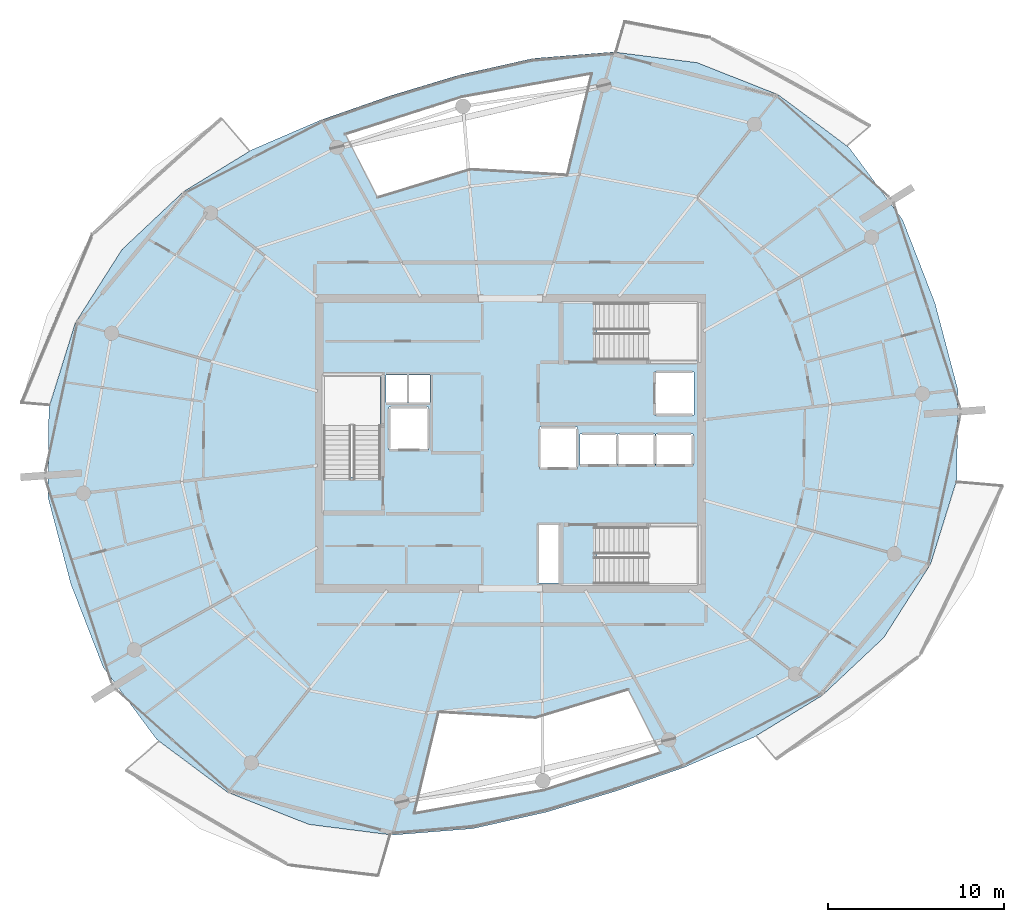
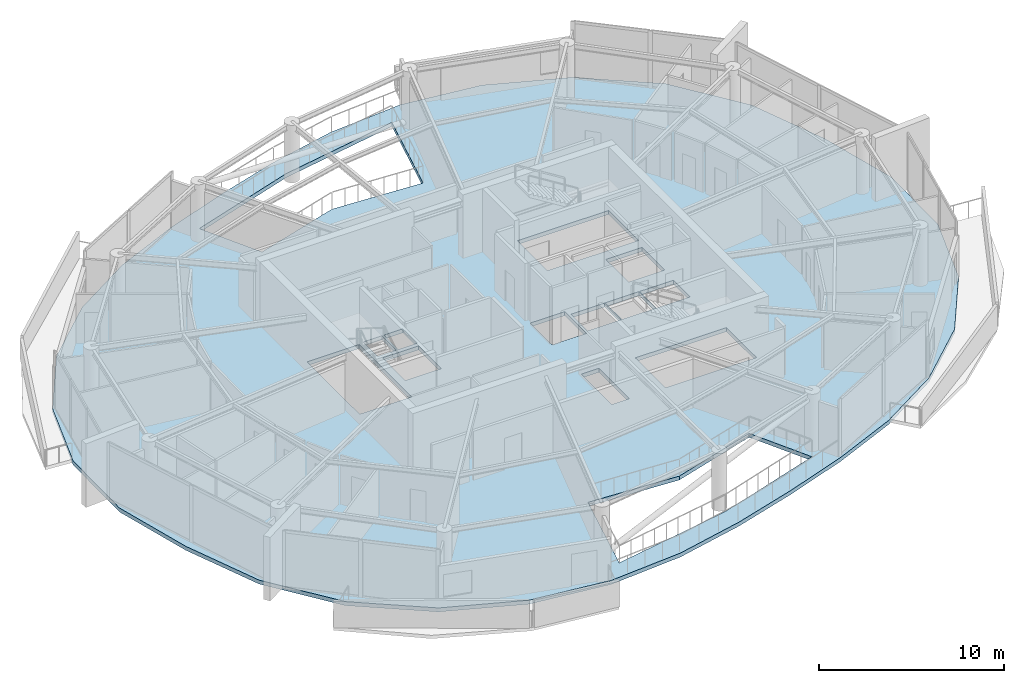
# One storey, part 9 of 21: 1 slab.
"""IFC4 building model written with IfcOpenShell, lengths in metres."""

from ifc_helpers import new_model, si_unit, direction, frame, origin, place, context, subcontext, project, spatial, polyline, outline, extrude, material, layer, layer_set, type_object, element, save


model = new_model("IFC4")

# Units and contexts
model_context = context("Model", 3, precision=1e-05, world=origin(), true_north=direction((0.0, 1.0)))
body_context = subcontext(model_context, "Body", "Model", "MODEL_VIEW")
ifc_project = project(units=[si_unit("LENGTHUNIT", "METRE"), si_unit("AREAUNIT", "SQUARE_METRE"), si_unit("VOLUMEUNIT", "CUBIC_METRE"), si_unit("PLANEANGLEUNIT", "RADIAN"), si_unit("MASSUNIT", "GRAM", prefix="KILO")], contexts=[model_context])

# Site, building, storey
site_placement = place(None, origin())
site = spatial("IfcSite", under=ifc_project, at=site_placement, CompositionType="ELEMENT")
building_placement = place(site_placement, origin())
building = spatial("IfcBuilding", under=site, at=building_placement, Name="Kazma Halo Residences", CompositionType="ELEMENT")
storey_placement = place(building_placement, frame((0.0, 0.0, 338.89990234375)))
storey = spatial("IfcBuildingStorey", under=building, at=storey_placement, Name="L85", CompositionType="ELEMENT", Elevation=338.89990234375)

# Slab
ifc_material = material(Name="Concrete C50/60", Category="concrete")
ifc_layer = layer(ifc_material, 0.260009765625)
ifc_layer_set = layer_set([ifc_layer], Name="Concrete C50/60")
slab_type = type_object("IfcSlabType", Name="SLB-RES-260", PredefinedType="FLOOR", material=ifc_layer_set)
slab_placement = place(storey_placement, frame((0.0, 0.0, -0.260009765625)))
element("IfcSlab", 1, at=slab_placement, inside=storey, type_object=slab_type, Name="L85 structural floor slab", PredefinedType="FLOOR", context=body_context, shape_type="SweptSolid", body=[
    extrude(outline(polyline([(72.573486328125, 49.984375), (70.730224609375, 54.7294921875), (67.697265625, 58.822998046875), (63.6455078125, 61.84619140625), (59.037841796875, 63.6630859375), (54.280517578125, 64.269287109375), (49.723876953125, 63.90478515625), (45.51904296875, 62.9609375), (41.576416015625, 61.76953125), (37.6865234375, 60.416015625), (33.72998046875, 58.7080078125), (29.829345703125, 56.32470703125), (26.3369140625, 53.037841796875), (23.677001953125, 48.85986328125), (22.17626953125, 44.032470703125), (22.12841796875, 38.93798828125), (23.426513671875, 34.015625), (25.269775390625, 29.2705078125), (28.302734375, 25.177001953125), (32.3544921875, 22.15380859375), (36.962158203125, 20.3369140625), (41.719482421875, 19.730712890625), (46.276123046875, 20.09521484375), (50.48095703125, 21.0390625), (54.423583984375, 22.23046875), (58.3134765625, 23.583984375), (62.27001953125, 25.2919921875), (66.170654296875, 27.67529296875), (69.6630859375, 30.962158203125), (72.322998046875, 35.14013671875), (73.82373046875, 39.967529296875), (73.87158203125, 45.06201171875), (72.573486328125, 49.984375)]), holes=[polyline([(37.800048828125, 40.110107421875), (41.050048828125, 40.110107421875), (41.050048828125, 45.800048828125), (37.800048828125, 45.800048828125), (37.800048828125, 40.110107421875)]), polyline([(53.360107421875, 46.75), (59.050048828125, 46.75), (59.050048828125, 50.0), (53.360107421875, 50.0), (53.360107421875, 46.75)]), polyline([(53.360107421875, 34.0), (59.050048828125, 34.0), (59.050048828125, 37.25), (53.360107421875, 37.25), (53.360107421875, 34.0)]), polyline([(41.52001953125, 41.6201171875), (43.780029296875, 41.6201171875), (43.780029296875, 44.080078125), (41.52001953125, 44.080078125), (41.52001953125, 41.6201171875)]), polyline([(56.6201171875, 43.6201171875), (58.8798828125, 43.6201171875), (58.8798828125, 46.080078125), (56.6201171875, 46.080078125), (56.6201171875, 43.6201171875)]), polyline([(52.39501953125, 40.7451171875), (54.5048828125, 40.7451171875), (54.5048828125, 42.554931640625), (52.39501953125, 42.554931640625), (52.39501953125, 40.7451171875)]), polyline([(54.544921875, 40.7451171875), (56.655029296875, 40.7451171875), (56.655029296875, 42.554931640625), (54.544921875, 42.554931640625), (54.544921875, 40.7451171875)]), polyline([(56.695068359375, 40.7451171875), (58.804931640625, 40.7451171875), (58.804931640625, 42.554931640625), (56.695068359375, 42.554931640625), (56.695068359375, 40.7451171875)]), polyline([(50.070068359375, 40.570068359375), (52.22998046875, 40.570068359375), (52.22998046875, 42.929931640625), (50.070068359375, 42.929931640625), (50.070068359375, 40.570068359375)]), polyline([(41.360107421875, 44.340087890625), (42.5400390625, 44.340087890625), (42.5400390625, 45.89990234375), (41.360107421875, 45.89990234375), (41.360107421875, 44.340087890625)]), polyline([(42.659912109375, 44.340087890625), (43.840087890625, 44.340087890625), (43.840087890625, 45.89990234375), (42.659912109375, 45.89990234375), (42.659912109375, 44.340087890625)]), polyline([(50.06005859375, 34.080078125), (51.159912109375, 34.080078125), (51.159912109375, 37.3798828125), (50.06005859375, 37.3798828125), (50.06005859375, 34.080078125)]), polyline([(51.6650390625, 57.26611328125), (46.15478515625, 57.59130859375), (40.872314453125, 55.98876953125), (39.036376953125, 59.592041015625), (45.666015625, 61.7197265625), (53.052978515625, 63.047119140625), (51.6650390625, 57.26611328125)]), polyline([(44.3349609375, 26.73388671875), (49.84521484375, 26.40869140625), (55.127685546875, 28.01123046875), (56.963623046875, 24.407958984375), (50.333984375, 22.2802734375), (42.947021484375, 20.952880859375), (44.3349609375, 26.73388671875)])]), origin(), (0.0, 0.0, 1.0), 0.260009765625),
])

save(model, "model.ifc")
